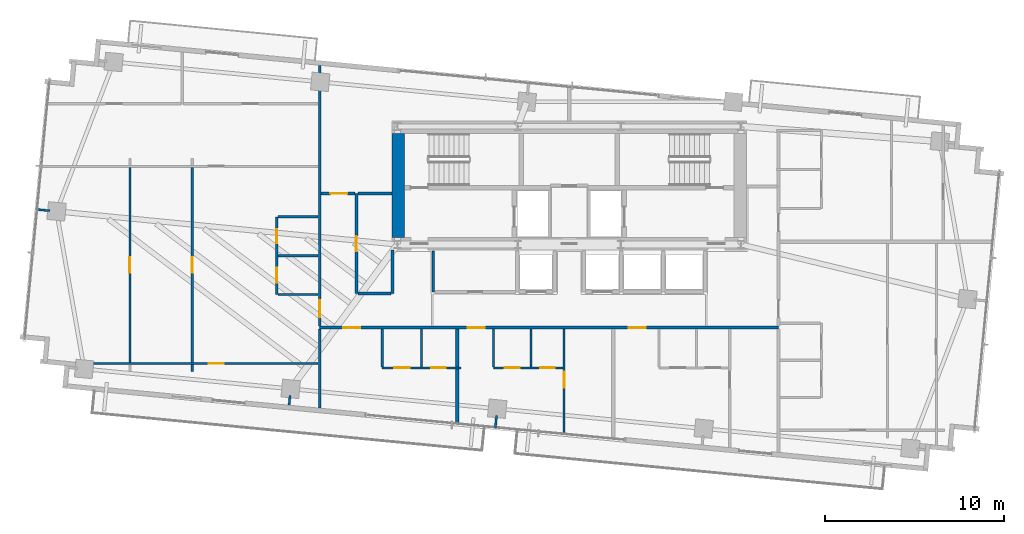
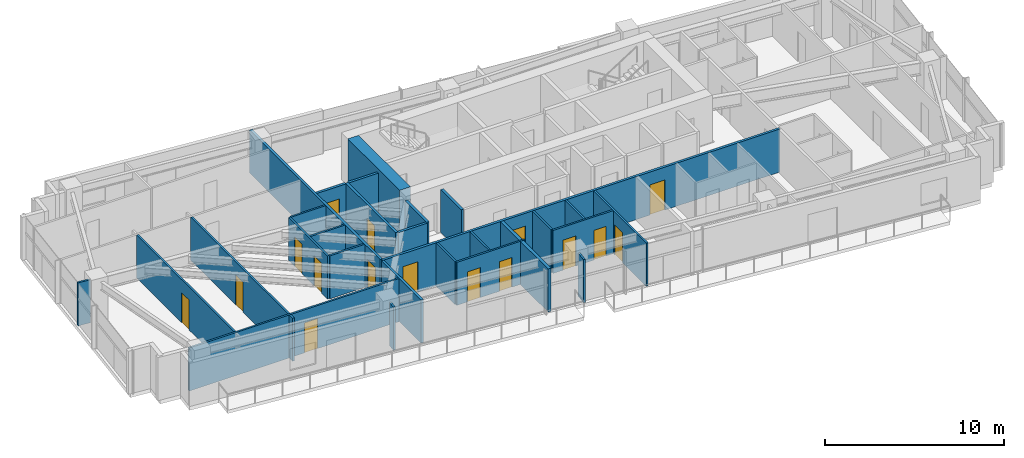
# One storey, part 14 of 19: 30 walls, 16 doors, 16 openings.
"""IFC4 building model written with IfcOpenShell, lengths in metres."""

from ifc_helpers import new_model, si_unit, direction, frame, frame_2d, origin, place, context, subcontext, project, spatial, rectangle, extrude, source, transform, mapped, material, layer, layer_set, type_object, type_shapes, element, fill, save


model = new_model("IFC4")

# Units and contexts
model_context = context("Model", 3, precision=1e-05, world=origin(), true_north=direction((0.0, 1.0)))
body_context = subcontext(model_context, "Body", "Model", "MODEL_VIEW")
ifc_project = project(units=[si_unit("LENGTHUNIT", "METRE"), si_unit("AREAUNIT", "SQUARE_METRE"), si_unit("VOLUMEUNIT", "CUBIC_METRE"), si_unit("PLANEANGLEUNIT", "RADIAN"), si_unit("MASSUNIT", "GRAM", prefix="KILO")], contexts=[model_context])

# Site, building, storey
site_placement = place(None, origin())
site = spatial("IfcSite", under=ifc_project, at=site_placement, CompositionType="ELEMENT")
building_placement = place(site_placement, origin())
building = spatial("IfcBuilding", under=site, at=building_placement, Name="Astriad Promenade Condominiums", CompositionType="ELEMENT")
storey_placement = place(building_placement, frame((0.0, 0.0, 147.0)))
storey = spatial("IfcBuildingStorey", under=building, at=storey_placement, Name="L42", CompositionType="ELEMENT", Elevation=147.0)

# Walls
ifc_material_1 = material(Name="Concrete C60/75", Category="concrete")
ifc_layer_1 = layer(ifc_material_1, 0.699951171875)
ifc_layer_set_1 = layer_set([ifc_layer_1], Name="Concrete C60/75")
wall_type_1 = type_object("IfcWallType", Name="CW-SHEAR-700", PredefinedType="SHEAR", material=ifc_layer_set_1)
wall_1_placement = place(storey_placement, frame((26.449951171875, 17.802001953125, 0.0), z_axis=(0.0, 0.0, 1.0), x_axis=(0.0, 1.0, 0.0)))
element("IfcWall", 1, at=wall_1_placement, inside=storey, type_object=wall_type_1, Name="CW-CORE-W-L42", PredefinedType="SHEAR", context=body_context, shape_type="SweptSolid", body=[
    extrude(rectangle(XDim=5.7958984375, YDim=0.699951171875, at=frame_2d((2.89794921875, 0.0))), origin(), (0.0, 0.0, 1.0), 3.199951171875),
])
ifc_material_2 = material(Name="Fire-Rated Gypsum Partition")
ifc_layer_2 = layer(ifc_material_2, 0.159912109375)
ifc_layer_set_2 = layer_set([ifc_layer_2], Name="Fire-Rated Gypsum Partition")
wall_type_2 = type_object("IfcWallType", Name="WALL-CORR-160", PredefinedType="PARTITIONING", material=ifc_layer_set_2)
wall_2_placement = place(storey_placement, frame((28.39990234375, 14.75, 0.0), z_axis=(0.0, 0.0, 1.0), x_axis=(0.0, 1.0, 0.0)))
element("IfcWall", 2, at=wall_2_placement, inside=storey, type_object=wall_type_2, Name="REC-L-W-L42", PredefinedType="PARTITIONING", context=body_context, shape_type="SweptSolid", body=[
    extrude(rectangle(XDim=2.300048828125, YDim=0.159912109375, at=frame_2d((1.14990234375, 0.0))), origin(), (0.0, 0.0, 1.0), 2.93994140625),
])

# Wall, openings, doors
wall_3_placement = place(storey_placement, frame((22.050048828125, 12.75, 0.0), z_axis=(0.0, 0.0, 1.0), x_axis=(1.0, 0.0, 0.0)))
wall_3 = element("IfcWall", 3, at=wall_3_placement, inside=storey, type_object=wall_type_2, Name="PT-COR-S-L42", PredefinedType="PARTITIONING", context=body_context, shape_type="SweptSolid", body=[
    extrude(rectangle(XDim=25.64990234375, YDim=0.159912109375, at=frame_2d((12.824951171875, 0.0))), origin(), (0.0, 0.0, 1.0), 2.93994140625),
])
opening_1_placement = place(wall_3_placement, frame((1.31201171875, 0.0, 0.0)))
opening_1 = element("IfcOpeningElement", 4, at=opening_1_placement, cuts=wall_3, Name="Opening FD60-APT-095", PredefinedType="OPENING", context=body_context, shape_type="SweptSolid", body=[
    extrude(rectangle(XDim=0.949951171875, YDim=2.06005859375, at=frame_2d((0.47509765625, 1.030029296875))), frame((0.0, 0.08984375, 0.0), z_axis=(0.0, -1.0, 0.0), x_axis=(1.0, 0.0, 0.0)), (0.0, 0.0, 1.0), 0.179931640625),
])
opening_2_placement = place(wall_3_placement, frame((8.281005859375, 0.0, 0.0)))
opening_2 = element("IfcOpeningElement", 5, at=opening_2_placement, cuts=wall_3, Name="Opening FD60-APT-095", PredefinedType="OPENING", context=body_context, shape_type="SweptSolid", body=[
    extrude(rectangle(XDim=0.949951171875, YDim=2.06005859375, at=frame_2d((0.47509765625, 1.030029296875))), frame((0.0, 0.08984375, 0.0), z_axis=(0.0, -1.0, 0.0), x_axis=(1.0, 0.0, 0.0)), (0.0, 0.0, 1.0), 0.179931640625),
])
opening_3_placement = place(wall_3_placement, frame((17.26806640625, 0.0, 0.0)))
opening_3 = element("IfcOpeningElement", 6, at=opening_3_placement, cuts=wall_3, Name="Opening FD60-APT-095", PredefinedType="OPENING", context=body_context, shape_type="SweptSolid", body=[
    extrude(rectangle(XDim=0.949951171875, YDim=2.06005859375, at=frame_2d((0.47509765625, 1.030029296875))), frame((0.0, 0.08984375, 0.0), z_axis=(0.0, -1.0, 0.0), x_axis=(1.0, 0.0, 0.0)), (0.0, 0.0, 1.0), 0.179931640625),
])
ifc_material_3 = material(Name="Solid-Core Acoustic Timber Residence Entry Door", Category="wood")
door_type_1 = type_object("IfcDoorType", Name="FD60-APT-095", OperationType="NOTDEFINED", PredefinedType="DOOR", material=ifc_material_3)
shared_shape_1 = source(origin(), body_context, "Body", "SweptSolid", [
    extrude(rectangle(XDim=0.949951171875, YDim=2.06005859375, at=frame_2d((0.47509765625, 1.030029296875))), frame((0.0, 0.02490234375, 0.0), z_axis=(0.0, -1.0, 0.0), x_axis=(1.0, 0.0, 0.0)), (0.0, 0.0, 1.0), 0.050048828125),
])
type_shapes(door_type_1, [shared_shape_1])
door_1_placement = place(opening_1_placement, origin())
door_1 = element("IfcDoor", 7, at=door_1_placement, inside=storey, type_object=door_type_1, Name="D-ENT-L42-S1", OperationType="SINGLE_SWING_RIGHT", OverallHeight=2.06005859375, OverallWidth=0.949951171875, PredefinedType="DOOR", context=body_context, shape_type="MappedRepresentation", body=[
    mapped(shared_shape_1, transform((0.0, 0.0, 0.0), scale=1.0)),
])
fill(opening_1, door_1)
door_2_placement = place(opening_2_placement, origin())
door_2 = element("IfcDoor", 8, at=door_2_placement, inside=storey, type_object=door_type_1, Name="D-ENT-L42-S2", OperationType="SINGLE_SWING_LEFT", OverallHeight=2.06005859375, OverallWidth=0.949951171875, PredefinedType="DOOR", context=body_context, shape_type="MappedRepresentation", body=[
    mapped(shared_shape_1, transform((0.0, 0.0, 0.0), scale=1.0)),
])
fill(opening_2, door_2)
door_3_placement = place(opening_3_placement, origin())
door_3 = element("IfcDoor", 9, at=door_3_placement, inside=storey, type_object=door_type_1, Name="D-ENT-L42-S3", OperationType="SINGLE_SWING_LEFT", OverallHeight=2.06005859375, OverallWidth=0.949951171875, PredefinedType="DOOR", context=body_context, shape_type="MappedRepresentation", body=[
    mapped(shared_shape_1, transform((0.0, 0.0, 0.0), scale=1.0)),
])
fill(opening_3, door_3)

# Wall
wall_4_placement = place(storey_placement, frame((22.050048828125, 8.253173828125, 0.0), z_axis=(0.0, 0.0, 1.0), x_axis=(0.0, 1.0, 0.0)))
element("IfcWall", 10, at=wall_4_placement, inside=storey, type_object=wall_type_2, Name="PT-COR-W-L42", PredefinedType="PARTITIONING", context=body_context, shape_type="SweptSolid", body=[
    extrude(rectangle(XDim=4.414794921875, YDim=0.159912109375, at=frame_2d((2.20751953125, 0.0))), origin(), (0.0, 0.0, 1.0), 2.93994140625),
])

# Wall, opening, door
wall_5_placement = place(storey_placement, frame((22.050048828125, 12.83203125, 0.0), z_axis=(0.0, 0.0, 1.0), x_axis=(0.0, 1.0, 0.0)))
wall_5 = element("IfcWall", 11, at=wall_5_placement, inside=storey, type_object=wall_type_2, Name="PT-COR-W-L42-S2", PredefinedType="PARTITIONING", context=body_context, shape_type="SweptSolid", body=[
    extrude(rectangle(XDim=14.585205078125, YDim=0.159912109375, at=frame_2d((7.29248046875, 0.0))), origin(), (0.0, 0.0, 1.0), 2.93994140625),
])
opening_4_placement = place(wall_5_placement, frame((0.492919921875, 0.0, 0.0)))
opening_4 = element("IfcOpeningElement", 12, at=opening_4_placement, cuts=wall_5, Name="Opening FD60-APT-095", PredefinedType="OPENING", context=body_context, shape_type="SweptSolid", body=[
    extrude(rectangle(XDim=0.949951171875, YDim=2.06005859375, at=frame_2d((0.47509765625, 1.030029296875))), frame((0.0, 0.08984375, 0.0), z_axis=(0.0, -1.0, 0.0), x_axis=(1.0, 0.0, 0.0)), (0.0, 0.0, 1.0), 0.179931640625),
])
door_4_placement = place(opening_4_placement, origin())
door_4 = element("IfcDoor", 13, at=door_4_placement, inside=storey, type_object=door_type_1, Name="D-ENT-L42-W1", OperationType="SINGLE_SWING_LEFT", OverallHeight=2.06005859375, OverallWidth=0.949951171875, PredefinedType="DOOR", context=body_context, shape_type="MappedRepresentation", body=[
    mapped(shared_shape_1, transform((0.0, 0.0, 0.0), scale=1.0)),
])
fill(opening_4, door_4)

wall_6_placement = place(storey_placement, frame((24.10009765625, 14.659912109375, 0.0), z_axis=(0.0, 0.0, 1.0), x_axis=(0.0, 1.0, 0.0)))
wall_6 = element("IfcWall", 14, at=wall_6_placement, inside=storey, type_object=wall_type_2, Name="PT-HK-E-L42", PredefinedType="PARTITIONING", context=body_context, shape_type="SweptSolid", body=[
    extrude(rectangle(XDim=5.590087890625, YDim=0.159912109375, at=frame_2d((2.794921875, 0.0))), origin(), (0.0, 0.0, 1.0), 2.93994140625),
])
opening_5_placement = place(wall_6_placement, frame((2.360107421875, 0.0, 0.0)))
opening_5 = element("IfcOpeningElement", 15, at=opening_5_placement, cuts=wall_6, Name="Opening FD60-ULOW-085", PredefinedType="OPENING", context=body_context, shape_type="SweptSolid", body=[
    extrude(rectangle(XDim=0.85009765625, YDim=2.0, at=frame_2d((0.425048828125, 1.0))), frame((0.0, 0.08984375, 0.0), z_axis=(0.0, -1.0, 0.0), x_axis=(1.0, 0.0, 0.0)), (0.0, 0.0, 1.0), 0.179931640625),
])
ifc_material_4 = material(Name="Solid-Core Low-Headroom Fire Door")
door_type_2 = type_object("IfcDoorType", Name="FD60-ULOW-085", OperationType="NOTDEFINED", PredefinedType="DOOR", material=ifc_material_4)
shared_shape_2 = source(origin(), body_context, "Body", "SweptSolid", [
    extrude(rectangle(XDim=0.85009765625, YDim=2.0, at=frame_2d((0.425048828125, 1.0))), frame((0.0, 0.02490234375, 0.0), z_axis=(0.0, -1.0, 0.0), x_axis=(1.0, 0.0, 0.0)), (0.0, 0.0, 1.0), 0.050048828125),
])
type_shapes(door_type_2, [shared_shape_2])
door_5_placement = place(opening_5_placement, origin())
door_5 = element("IfcDoor", 16, at=door_5_placement, inside=storey, type_object=door_type_2, Name="D-HKA-L42", OperationType="SINGLE_SWING_LEFT", OverallHeight=2.0, OverallWidth=0.85009765625, PredefinedType="DOOR", context=body_context, shape_type="MappedRepresentation", body=[
    mapped(shared_shape_2, transform((0.0, 0.0, 0.0), scale=1.0)),
])
fill(opening_5, door_5)

wall_7_placement = place(storey_placement, frame((22.132080078125, 20.25, 0.0), z_axis=(0.0, 0.0, 1.0), x_axis=(1.0, 0.0, 0.0)))
wall_7 = element("IfcWall", 17, at=wall_7_placement, inside=storey, type_object=wall_type_2, Name="PT-HK-N-L42", PredefinedType="PARTITIONING", context=body_context, shape_type="SweptSolid", body=[
    extrude(rectangle(XDim=1.885986328125, YDim=0.159912109375, at=frame_2d((0.94287109375, 0.0))), origin(), (0.0, 0.0, 1.0), 2.93994140625),
])
opening_6_placement = place(wall_7_placement, frame((0.508056640625, 0.0, 0.0)))
opening_6 = element("IfcOpeningElement", 18, at=opening_6_placement, cuts=wall_7, Name="Opening FD60-APT-095", PredefinedType="OPENING", context=body_context, shape_type="SweptSolid", body=[
    extrude(rectangle(XDim=0.949951171875, YDim=2.06005859375, at=frame_2d((0.47509765625, 1.030029296875))), frame((0.0, 0.08984375, 0.0), z_axis=(0.0, -1.0, 0.0), x_axis=(1.0, 0.0, 0.0)), (0.0, 0.0, 1.0), 0.179931640625),
])
door_6_placement = place(opening_6_placement, origin())
door_6 = element("IfcDoor", 19, at=door_6_placement, inside=storey, type_object=door_type_1, Name="D-HKB-L42", OperationType="SINGLE_SWING_RIGHT", OverallHeight=2.06005859375, OverallWidth=0.949951171875, PredefinedType="DOOR", context=body_context, shape_type="MappedRepresentation", body=[
    mapped(shared_shape_1, transform((0.0, 0.0, 0.0), scale=1.0)),
])
fill(opening_6, door_6)

# Walls
wall_8_placement = place(storey_placement, frame((24.181884765625, 20.25, 0.0), z_axis=(0.0, 0.0, 1.0), x_axis=(1.0, 0.0, 0.0)))
element("IfcWall", 20, at=wall_8_placement, inside=storey, type_object=wall_type_2, Name="PT-HK-N-L42-S2", PredefinedType="PARTITIONING", context=body_context, shape_type="SweptSolid", body=[
    extrude(rectangle(XDim=1.916015625, YDim=0.159912109375, at=frame_2d((0.9580078125, 0.0))), origin(), (0.0, 0.0, 1.0), 2.93994140625),
])
wall_9_placement = place(storey_placement, frame((26.1201171875, 14.659912109375, 0.0), z_axis=(0.0, 0.0, 1.0), x_axis=(0.0, 1.0, 0.0)))
element("IfcWall", 21, at=wall_9_placement, inside=storey, type_object=wall_type_2, Name="PT-WSPUR-W-L42", PredefinedType="PARTITIONING", context=body_context, shape_type="SweptSolid", body=[
    extrude(rectangle(XDim=2.43798828125, YDim=0.159912109375, at=frame_2d((1.218994140625, 0.0))), origin(), (0.0, 0.0, 1.0), 2.93994140625),
])
wall_10_placement = place(storey_placement, frame((24.181884765625, 14.659912109375, 0.0), z_axis=(0.0, 0.0, 1.0), x_axis=(1.0, 0.0, 0.0)))
element("IfcWall", 22, at=wall_10_placement, inside=storey, type_object=wall_type_2, Name="PT-HK-S-L42", PredefinedType="PARTITIONING", context=body_context, shape_type="SweptSolid", body=[
    extrude(rectangle(XDim=1.856201171875, YDim=0.159912109375, at=frame_2d((0.92822265625, 0.0))), origin(), (0.0, 0.0, 1.0), 2.93994140625),
])
ifc_material_5 = material(Name="Acoustic Double-Stud Gypsum Partition")
ifc_layer_3 = layer(ifc_material_5, 0.199951171875)
ifc_layer_set_3 = layer_set([ifc_layer_3], Name="Acoustic Double-Stud Gypsum Partition")
wall_type_3 = type_object("IfcWallType", Name="WALL-DEMISING-200", PredefinedType="PARTITIONING", material=ifc_layer_set_3)
wall_11_placement = place(storey_placement, frame((29.7451171875, 7.3291015625, 0.0), z_axis=(0.0, 0.0, 1.0), x_axis=(0.0, 1.0, 0.0)))
element("IfcWall", 23, at=wall_11_placement, inside=storey, type_object=wall_type_3, Name="PT-DEM-S1-L42", PredefinedType="PARTITIONING", context=body_context, shape_type="SweptSolid", body=[
    extrude(rectangle(XDim=3.10888671875, YDim=0.199951171875, at=frame_2d((1.554443359375, 0.0))), origin(), (0.0, 0.0, 1.0), 2.93994140625),
])
wall_12_placement = place(storey_placement, frame((29.7451171875, 10.56201171875, 0.0), z_axis=(0.0, 0.0, 1.0), x_axis=(0.0, 1.0, 0.0)))
element("IfcWall", 24, at=wall_12_placement, inside=storey, type_object=wall_type_3, Name="PT-DEM-S1-L42-S2", PredefinedType="PARTITIONING", context=body_context, shape_type="SweptSolid", body=[
    extrude(rectangle(XDim=2.10595703125, YDim=0.199951171875, at=frame_2d((1.052978515625, 0.0))), origin(), (0.0, 0.0, 1.0), 2.93994140625),
])

# Wall, openings, doors
ifc_material_6 = material(Name="Acoustic Metal-Stud Gypsum Partition")
ifc_layer_4 = layer(ifc_material_6, 0.1201171875)
ifc_layer_set_4 = layer_set([ifc_layer_4], Name="Acoustic Metal-Stud Gypsum Partition")
wall_type_4 = type_object("IfcWallType", Name="WALL-PART-120", PredefinedType="PARTITIONING", material=ifc_layer_set_4)
wall_13_placement = place(storey_placement, frame((25.544921875, 10.5, 0.0), z_axis=(0.0, 0.0, 1.0), x_axis=(1.0, 0.0, 0.0)))
wall_13 = element("IfcWall", 25, at=wall_13_placement, inside=storey, type_object=wall_type_4, Name="PT-L42-S1-PS", PredefinedType="PARTITIONING", context=body_context, shape_type="SweptSolid", body=[
    extrude(rectangle(XDim=4.400146484375, YDim=0.1201171875, at=frame_2d((2.2001953125, 0.0))), origin(), (0.0, 0.0, 1.0), 2.93994140625),
])
opening_7_placement = place(wall_13_placement, frame((0.675048828125, 0.0, 0.0)))
opening_7 = element("IfcOpeningElement", 26, at=opening_7_placement, cuts=wall_13, Name="Opening D-INT-085", PredefinedType="OPENING", context=body_context, shape_type="SweptSolid", body=[
    extrude(rectangle(XDim=0.85009765625, YDim=2.050048828125, at=frame_2d((0.425048828125, 1.02490234375))), frame((0.0, 0.070068359375, 0.0), z_axis=(0.0, -1.0, 0.0), x_axis=(1.0, 0.0, 0.0)), (0.0, 0.0, 1.0), 0.14013671875),
])
opening_8_placement = place(wall_13_placement, frame((2.75, 0.0, 0.0)))
opening_8 = element("IfcOpeningElement", 27, at=opening_8_placement, cuts=wall_13, Name="Opening D-WET-080", PredefinedType="OPENING", context=body_context, shape_type="SweptSolid", body=[
    extrude(rectangle(XDim=0.800048828125, YDim=2.02001953125, at=frame_2d((0.39990234375, 1.010009765625))), frame((0.0, 0.070068359375, 0.0), z_axis=(0.0, -1.0, 0.0), x_axis=(1.0, 0.0, 0.0)), (0.0, 0.0, 1.0), 0.14013671875),
])
ifc_material_7 = material(Name="Moisture-Resistant Timber Bathroom Door", Category="wood")
door_type_3 = type_object("IfcDoorType", Name="D-WET-080", OperationType="NOTDEFINED", PredefinedType="DOOR", material=ifc_material_7)
shared_shape_3 = source(origin(), body_context, "Body", "SweptSolid", [
    extrude(rectangle(XDim=0.800048828125, YDim=2.02001953125, at=frame_2d((0.39990234375, 1.010009765625))), frame((0.0, 0.02490234375, 0.0), z_axis=(0.0, -1.0, 0.0), x_axis=(1.0, 0.0, 0.0)), (0.0, 0.0, 1.0), 0.050048828125),
])
type_shapes(door_type_3, [shared_shape_3])
door_7_placement = place(opening_8_placement, origin())
door_7 = element("IfcDoor", 28, at=door_7_placement, inside=storey, type_object=door_type_3, Name="D-BTH-L42-S1", OperationType="SINGLE_SWING_RIGHT", OverallHeight=2.02001953125, OverallWidth=0.800048828125, PredefinedType="DOOR", context=body_context, shape_type="MappedRepresentation", body=[
    mapped(shared_shape_3, transform((0.0, 0.0, 0.0), scale=1.0)),
])
fill(opening_8, door_7)
ifc_material_8 = material(Name="Painted Solid-Core Timber Room Door", Category="wood")
door_type_4 = type_object("IfcDoorType", Name="D-INT-085", OperationType="NOTDEFINED", PredefinedType="DOOR", material=ifc_material_8)
shared_shape_4 = source(origin(), body_context, "Body", "SweptSolid", [
    extrude(rectangle(XDim=0.85009765625, YDim=2.050048828125, at=frame_2d((0.425048828125, 1.02490234375))), frame((0.0, 0.02490234375, 0.0), z_axis=(0.0, -1.0, 0.0), x_axis=(1.0, 0.0, 0.0)), (0.0, 0.0, 1.0), 0.050048828125),
])
type_shapes(door_type_4, [shared_shape_4])
door_8_placement = place(opening_7_placement, origin())
door_8 = element("IfcDoor", 29, at=door_8_placement, inside=storey, type_object=door_type_4, Name="D-KIT-L42-S1", OperationType="SINGLE_SWING_LEFT", OverallHeight=2.050048828125, OverallWidth=0.85009765625, PredefinedType="DOOR", context=body_context, shape_type="MappedRepresentation", body=[
    mapped(shared_shape_4, transform((0.0, 0.0, 0.0), scale=1.0)),
])
fill(opening_7, door_8)

# Walls
for number, where, z_axis, x_axis, name in (
    (30, (25.544921875, 10.56201171875, 0.0), (0.0, 0.0, 1.0), (0.0, 1.0, 0.0), "PT-L42-S1-PK"),
    (31, (27.7451171875, 10.56201171875, 0.0), (0.0, 0.0, 1.0), (0.0, 1.0, 0.0), "PT-L42-S1-PB"),
):
    element("IfcWall", number, at=place(storey_placement, frame(where, z_axis=z_axis, x_axis=x_axis)), inside=storey, type_object=wall_type_4, Name=name, PredefinedType="PARTITIONING", context=body_context, shape_type="SweptSolid", body=[
        extrude(rectangle(XDim=2.10595703125, YDim=0.1201171875, at=frame_2d((1.052978515625, 0.0))), origin(), (0.0, 0.0, 1.0), 2.93994140625),
    ])

# Wall, opening, door
wall_14_placement = place(storey_placement, frame((35.716064453125, 6.75439453125, 0.0), z_axis=(0.0, 0.0, 1.0), x_axis=(0.0, 1.0, 0.0)))
wall_14 = element("IfcWall", 32, at=wall_14_placement, inside=storey, type_object=wall_type_4, Name="PT-L42-S2-BD1", PredefinedType="PARTITIONING", context=body_context, shape_type="SweptSolid", body=[
    extrude(rectangle(XDim=5.91357421875, YDim=0.1201171875, at=frame_2d((2.956787109375, 0.0))), origin(), (0.0, 0.0, 1.0), 2.93994140625),
])
opening_9_placement = place(wall_14_placement, frame((2.645751953125, 0.0, 0.0)))
opening_9 = element("IfcOpeningElement", 33, at=opening_9_placement, cuts=wall_14, Name="Opening D-INT-090", PredefinedType="OPENING", context=body_context, shape_type="SweptSolid", body=[
    extrude(rectangle(XDim=0.89990234375, YDim=2.050048828125, at=frame_2d((0.449951171875, 1.02490234375))), frame((0.0, 0.070068359375, 0.0), z_axis=(0.0, -1.0, 0.0), x_axis=(1.0, 0.0, 0.0)), (0.0, 0.0, 1.0), 0.14013671875),
])
ifc_material_9 = material(Name="Painted Solid-Core Timber Bedroom Door", Category="wood")
door_type_5 = type_object("IfcDoorType", Name="D-INT-090", OperationType="NOTDEFINED", PredefinedType="DOOR", material=ifc_material_9)
shared_shape_5 = source(origin(), body_context, "Body", "SweptSolid", [
    extrude(rectangle(XDim=0.89990234375, YDim=2.050048828125, at=frame_2d((0.449951171875, 1.02490234375))), frame((0.0, 0.02490234375, 0.0), z_axis=(0.0, -1.0, 0.0), x_axis=(1.0, 0.0, 0.0)), (0.0, 0.0, 1.0), 0.050048828125),
])
type_shapes(door_type_5, [shared_shape_5])
door_9_placement = place(opening_9_placement, origin())
door_9 = element("IfcDoor", 34, at=door_9_placement, inside=storey, type_object=door_type_5, Name="D-BD1-L42-S2", OperationType="SINGLE_SWING_RIGHT", OverallHeight=2.050048828125, OverallWidth=0.89990234375, PredefinedType="DOOR", context=body_context, shape_type="MappedRepresentation", body=[
    mapped(shared_shape_5, transform((0.0, 0.0, 0.0), scale=1.0)),
])
fill(opening_9, door_9)

# Wall, openings, doors
wall_15_placement = place(storey_placement, frame((31.76611328125, 10.5, 0.0), z_axis=(0.0, 0.0, 1.0), x_axis=(1.0, 0.0, 0.0)))
wall_15 = element("IfcWall", 35, at=wall_15_placement, inside=storey, type_object=wall_type_4, Name="PT-L42-S2-PS", PredefinedType="PARTITIONING", context=body_context, shape_type="SweptSolid", body=[
    extrude(rectangle(XDim=3.887939453125, YDim=0.1201171875, at=frame_2d((1.94384765625, 0.0))), origin(), (0.0, 0.0, 1.0), 2.93994140625),
])
opening_10_placement = place(wall_15_placement, frame((0.625, 0.0, 0.0)))
opening_10 = element("IfcOpeningElement", 36, at=opening_10_placement, cuts=wall_15, Name="Opening D-INT-085", PredefinedType="OPENING", context=body_context, shape_type="SweptSolid", body=[
    extrude(rectangle(XDim=0.85009765625, YDim=2.050048828125, at=frame_2d((0.425048828125, 1.02490234375))), frame((0.0, 0.070068359375, 0.0), z_axis=(0.0, -1.0, 0.0), x_axis=(1.0, 0.0, 0.0)), (0.0, 0.0, 1.0), 0.14013671875),
])
opening_11_placement = place(wall_15_placement, frame((2.625, 0.0, 0.0)))
opening_11 = element("IfcOpeningElement", 37, at=opening_11_placement, cuts=wall_15, Name="Opening D-WET-080", PredefinedType="OPENING", context=body_context, shape_type="SweptSolid", body=[
    extrude(rectangle(XDim=0.800048828125, YDim=2.02001953125, at=frame_2d((0.39990234375, 1.010009765625))), frame((0.0, 0.070068359375, 0.0), z_axis=(0.0, -1.0, 0.0), x_axis=(1.0, 0.0, 0.0)), (0.0, 0.0, 1.0), 0.14013671875),
])
door_10_placement = place(opening_11_placement, origin())
door_10 = element("IfcDoor", 38, at=door_10_placement, inside=storey, type_object=door_type_3, Name="D-BTH-L42-S2", OperationType="SINGLE_SWING_RIGHT", OverallHeight=2.02001953125, OverallWidth=0.800048828125, PredefinedType="DOOR", context=body_context, shape_type="MappedRepresentation", body=[
    mapped(shared_shape_3, transform((0.0, 0.0, 0.0), scale=1.0)),
])
fill(opening_11, door_10)
door_11_placement = place(opening_10_placement, origin())
door_11 = element("IfcDoor", 39, at=door_11_placement, inside=storey, type_object=door_type_4, Name="D-KIT-L42-S2", OperationType="SINGLE_SWING_LEFT", OverallHeight=2.050048828125, OverallWidth=0.85009765625, PredefinedType="DOOR", context=body_context, shape_type="MappedRepresentation", body=[
    mapped(shared_shape_4, transform((0.0, 0.0, 0.0), scale=1.0)),
])
fill(opening_10, door_11)

# Walls
for number, where, z_axis, x_axis, name in (
    (40, (33.865966796875, 10.56201171875, 0.0), (0.0, 0.0, 1.0), (0.0, 1.0, 0.0), "PT-L42-S2-PBK"),
    (41, (31.76611328125, 10.56201171875, 0.0), (0.0, 0.0, 1.0), (0.0, 1.0, 0.0), "PT-L42-S2-PKW"),
):
    element("IfcWall", number, at=place(storey_placement, frame(where, z_axis=z_axis, x_axis=x_axis)), inside=storey, type_object=wall_type_4, Name=name, PredefinedType="PARTITIONING", context=body_context, shape_type="SweptSolid", body=[
        extrude(rectangle(XDim=2.10595703125, YDim=0.1201171875, at=frame_2d((1.052978515625, 0.0))), origin(), (0.0, 0.0, 1.0), 2.93994140625),
    ])

# Wall, openings, doors
wall_16_placement = place(storey_placement, frame((19.64990234375, 14.60009765625, 0.0), z_axis=(0.0, 0.0, 1.0), x_axis=(0.0, 1.0, 0.0)))
wall_16 = element("IfcWall", 42, at=wall_16_placement, inside=storey, type_object=wall_type_4, Name="PT-L42-W1-PV", PredefinedType="PARTITIONING", context=body_context, shape_type="SweptSolid", body=[
    extrude(rectangle(XDim=4.349853515625, YDim=0.1201171875, at=frame_2d((2.1748046875, 0.0))), origin(), (0.0, 0.0, 1.0), 2.93994140625),
])
opening_12_placement = place(wall_16_placement, frame((0.6630859375, 0.0, 0.0)))
opening_12 = element("IfcOpeningElement", 43, at=opening_12_placement, cuts=wall_16, Name="Opening D-INT-085", PredefinedType="OPENING", context=body_context, shape_type="SweptSolid", body=[
    extrude(rectangle(XDim=0.85009765625, YDim=2.050048828125, at=frame_2d((0.425048828125, 1.02490234375))), frame((0.0, 0.070068359375, 0.0), z_axis=(0.0, -1.0, 0.0), x_axis=(1.0, 0.0, 0.0)), (0.0, 0.0, 1.0), 0.14013671875),
])
opening_13_placement = place(wall_16_placement, frame((2.862060546875, 0.0, 0.0)))
opening_13 = element("IfcOpeningElement", 44, at=opening_13_placement, cuts=wall_16, Name="Opening D-WET-080", PredefinedType="OPENING", context=body_context, shape_type="SweptSolid", body=[
    extrude(rectangle(XDim=0.800048828125, YDim=2.02001953125, at=frame_2d((0.39990234375, 1.010009765625))), frame((0.0, 0.070068359375, 0.0), z_axis=(0.0, -1.0, 0.0), x_axis=(1.0, 0.0, 0.0)), (0.0, 0.0, 1.0), 0.14013671875),
])
door_12_placement = place(opening_13_placement, origin())
door_12 = element("IfcDoor", 45, at=door_12_placement, inside=storey, type_object=door_type_3, Name="D-BTH-L42-W1", OperationType="SINGLE_SWING_LEFT", OverallHeight=2.02001953125, OverallWidth=0.800048828125, PredefinedType="DOOR", context=body_context, shape_type="MappedRepresentation", body=[
    mapped(shared_shape_3, transform((0.0, 0.0, 0.0), scale=1.0)),
])
fill(opening_13, door_12)
door_13_placement = place(opening_12_placement, origin())
door_13 = element("IfcDoor", 46, at=door_13_placement, inside=storey, type_object=door_type_4, Name="D-KIT-L42-W1", OperationType="SINGLE_SWING_RIGHT", OverallHeight=2.050048828125, OverallWidth=0.85009765625, PredefinedType="DOOR", context=body_context, shape_type="MappedRepresentation", body=[
    mapped(shared_shape_4, transform((0.0, 0.0, 0.0), scale=1.0)),
])
fill(opening_12, door_13)

# Walls
for number, where, z_axis, x_axis, name in (
    (47, (19.7119140625, 16.77490234375, 0.0), (0.0, 0.0, 1.0), (1.0, 0.0, 0.0), "PT-L42-W1-PM"),
    (48, (19.7119140625, 14.60009765625, 0.0), (0.0, 0.0, 1.0), (1.0, 0.0, 0.0), "PT-L42-W1-PS"),
    (49, (19.7119140625, 18.949951171875, 0.0), (0.0, 0.0, 1.0), (1.0, 0.0, 0.0), "PT-L42-W1-PN"),
):
    element("IfcWall", number, at=place(storey_placement, frame(where, z_axis=z_axis, x_axis=x_axis)), inside=storey, type_object=wall_type_4, Name=name, PredefinedType="PARTITIONING", context=body_context, shape_type="SweptSolid", body=[
        extrude(rectangle(XDim=2.256103515625, YDim=0.1201171875, at=frame_2d((1.1279296875, 0.0))), origin(), (0.0, 0.0, 1.0), 2.93994140625),
    ])

# Wall, opening, door
wall_17_placement = place(storey_placement, frame((8.40576171875, 10.7490234375, 0.0), z_axis=(0.0, 0.0, 1.0), x_axis=(1.0, 0.0, 0.0)))
wall_17 = element("IfcWall", 50, at=wall_17_placement, inside=storey, type_object=wall_type_4, Name="PT-L42-W1-WDS2", PredefinedType="PARTITIONING", context=body_context, shape_type="SweptSolid", body=[
    extrude(rectangle(XDim=13.562255859375, YDim=0.1201171875, at=frame_2d((6.78125, 0.0))), origin(), (0.0, 0.0, 1.0), 2.93994140625),
])
opening_14_placement = place(wall_17_placement, frame((7.440185546875, 0.0, 0.0)))
opening_14 = element("IfcOpeningElement", 51, at=opening_14_placement, cuts=wall_17, Name="Opening D-INT-085", PredefinedType="OPENING", context=body_context, shape_type="SweptSolid", body=[
    extrude(rectangle(XDim=0.85009765625, YDim=2.050048828125, at=frame_2d((0.425048828125, 1.02490234375))), frame((0.0, 0.070068359375, 0.0), z_axis=(0.0, -1.0, 0.0), x_axis=(1.0, 0.0, 0.0)), (0.0, 0.0, 1.0), 0.14013671875),
])
door_14_placement = place(opening_14_placement, origin())
door_14 = element("IfcDoor", 52, at=door_14_placement, inside=storey, type_object=door_type_4, Name="D-WDS2-L42-W1", OperationType="SINGLE_SWING_LEFT", OverallHeight=2.050048828125, OverallWidth=0.85009765625, PredefinedType="DOOR", context=body_context, shape_type="MappedRepresentation", body=[
    mapped(shared_shape_4, transform((0.0, 0.0, 0.0), scale=1.0)),
])
fill(opening_14, door_14)

wall_18_placement = place(storey_placement, frame((11.43701171875, 10.81103515625, 0.0), z_axis=(0.0, 0.0, 1.0), x_axis=(0.0, 1.0, 0.0)))
wall_18 = element("IfcWall", 53, at=wall_18_placement, inside=storey, type_object=wall_type_4, Name="PT-L42-W1-WDV3-S2", PredefinedType="PARTITIONING", context=body_context, shape_type="SweptSolid", body=[
    extrude(rectangle(XDim=10.89306640625, YDim=0.1201171875, at=frame_2d((5.446533203125, 0.0))), origin(), (0.0, 0.0, 1.0), 2.93994140625),
])
opening_15_placement = place(wall_18_placement, frame((5.02099609375, 0.0, 0.0)))
opening_15 = element("IfcOpeningElement", 54, at=opening_15_placement, cuts=wall_18, Name="Opening D-INT-085", PredefinedType="OPENING", context=body_context, shape_type="SweptSolid", body=[
    extrude(rectangle(XDim=0.85009765625, YDim=2.050048828125, at=frame_2d((0.425048828125, 1.02490234375))), frame((0.0, 0.070068359375, 0.0), z_axis=(0.0, -1.0, 0.0), x_axis=(1.0, 0.0, 0.0)), (0.0, 0.0, 1.0), 0.14013671875),
])
door_15_placement = place(opening_15_placement, origin())
door_15 = element("IfcDoor", 55, at=door_15_placement, inside=storey, type_object=door_type_4, Name="D-WDV3-L42-W1", OperationType="SINGLE_SWING_RIGHT", OverallHeight=2.050048828125, OverallWidth=0.85009765625, PredefinedType="DOOR", context=body_context, shape_type="MappedRepresentation", body=[
    mapped(shared_shape_4, transform((0.0, 0.0, 0.0), scale=1.0)),
])
fill(opening_15, door_15)

# Wall
wall_19_placement = place(storey_placement, frame((14.9208984375, 10.30908203125, 0.0), z_axis=(0.0, 0.0, 1.0), x_axis=(0.0, 1.0, 0.0)))
element("IfcWall", 56, at=wall_19_placement, inside=storey, type_object=wall_type_4, Name="PT-L42-W1-WDV4", PredefinedType="PARTITIONING", context=body_context, shape_type="SweptSolid", body=[
    extrude(rectangle(XDim=0.3779296875, YDim=0.1201171875, at=frame_2d((0.18896484375, 0.0))), origin(), (0.0, 0.0, 1.0), 2.93994140625),
])

# Wall, opening, door
wall_20_placement = place(storey_placement, frame((14.9208984375, 10.81103515625, 0.0), z_axis=(0.0, 0.0, 1.0), x_axis=(0.0, 1.0, 0.0)))
wall_20 = element("IfcWall", 57, at=wall_20_placement, inside=storey, type_object=wall_type_4, Name="PT-L42-W1-WDV4-S2", PredefinedType="PARTITIONING", context=body_context, shape_type="SweptSolid", body=[
    extrude(rectangle(XDim=10.89306640625, YDim=0.1201171875, at=frame_2d((5.446533203125, 0.0))), origin(), (0.0, 0.0, 1.0), 2.93994140625),
])
opening_16_placement = place(wall_20_placement, frame((5.02099609375, 0.0, 0.0)))
opening_16 = element("IfcOpeningElement", 58, at=opening_16_placement, cuts=wall_20, Name="Opening D-INT-085", PredefinedType="OPENING", context=body_context, shape_type="SweptSolid", body=[
    extrude(rectangle(XDim=0.85009765625, YDim=2.050048828125, at=frame_2d((0.425048828125, 1.02490234375))), frame((0.0, 0.070068359375, 0.0), z_axis=(0.0, -1.0, 0.0), x_axis=(1.0, 0.0, 0.0)), (0.0, 0.0, 1.0), 0.14013671875),
])
door_16_placement = place(opening_16_placement, origin())
door_16 = element("IfcDoor", 59, at=door_16_placement, inside=storey, type_object=door_type_4, Name="D-WDV4-L42-W1", OperationType="SINGLE_SWING_LEFT", OverallHeight=2.050048828125, OverallWidth=0.85009765625, PredefinedType="DOOR", context=body_context, shape_type="MappedRepresentation", body=[
    mapped(shared_shape_4, transform((0.0, 0.0, 0.0), scale=1.0)),
])
fill(opening_16, door_16)

# Walls
wall_21_placement = place(storey_placement, frame((20.390869140625, 8.953125, 0.0), z_axis=(0.0, 0.0, 1.0), x_axis=(-0.096222656154, -0.995359834654, 0.0)))
element("IfcWall", 60, at=wall_21_placement, inside=storey, type_object=wall_type_4, Name="PT-PIL-L42-PC02-9", PredefinedType="PARTITIONING", context=body_context, shape_type="SweptSolid", body=[
    extrude(rectangle(XDim=0.537841796875, YDim=0.1201171875, at=frame_2d((0.26904296875, 0.0))), origin(), (0.0, 0.0, 1.0), 2.93994140625),
])
wall_22_placement = place(storey_placement, frame((31.9375, 7.84130859375, 0.0), z_axis=(0.0, 0.0, 1.0), x_axis=(-0.095977354523, -0.995383517755, 0.0)))
element("IfcWall", 61, at=wall_22_placement, inside=storey, type_object=wall_type_4, Name="PT-PIL-L42-PC03-10", PredefinedType="PARTITIONING", context=body_context, shape_type="SweptSolid", body=[
    extrude(rectangle(XDim=0.719970703125, YDim=0.1201171875, at=frame_2d((0.35986328125, 0.0))), origin(), (0.0, 0.0, 1.0), 2.93994140625),
])
wall_23_placement = place(storey_placement, frame((6.95947265625, 19.2880859375, 0.0), z_axis=(0.0, 0.0, 1.0), x_axis=(-0.995377786728, 0.096036772582, 0.0)))
element("IfcWall", 62, at=wall_23_placement, inside=storey, type_object=wall_type_4, Name="PT-PIL-L42-PC11-18", PredefinedType="PARTITIONING", context=body_context, shape_type="SweptSolid", body=[
    extrude(rectangle(XDim=0.760009765625, YDim=0.1201171875, at=frame_2d((0.3798828125, 0.0))), origin(), (0.0, 0.0, 1.0), 2.93994140625),
])

save(model, "model.ifc")
